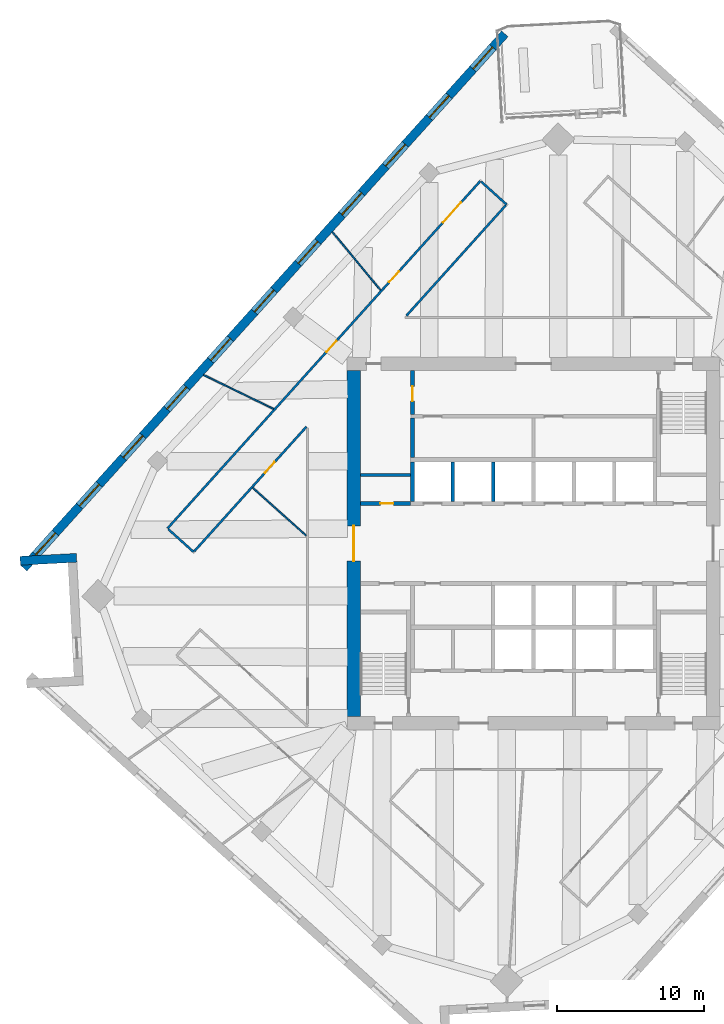
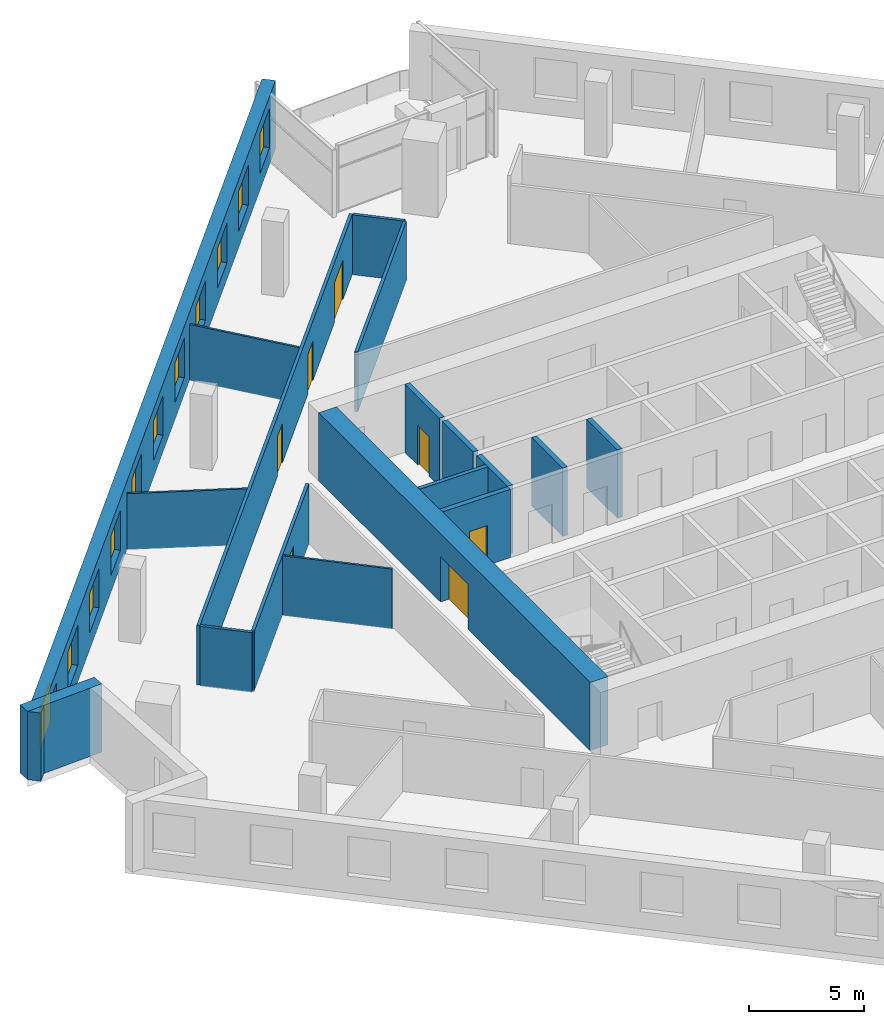
# One storey, part 8 of 12: 18 walls, 11 windows, 7 doors, 18 openings.
"""IFC4 building model written with IfcOpenShell, lengths in metres."""

import ifcopenshell
import ifcopenshell.guid

model = None  # the IFC model being written
_history = None  # IfcOwnerHistory: only IFC2X3 demands one
_inside = {}  # id of a spatial element -> (the spatial element, [elements in it])
_under = {}  # id of a project, library or spatial element -> (it, [spatial elements below it])
_declared = {}  # id of a project -> (the project, [libraries it declares])
_typed = {}  # id of a type object -> (the type object, [elements of that type])
_made_of = {}  # id of a material, layer set ... -> (it, [elements and type objects made of it])


def new_model(schema):
    """Start an empty IFC model of exactly this schema.

    Asked for "IFC4X3", IfcOpenShell would pick the latest addendum, in which some entities
    have other attributes; the version numbers below select the first issue.
    IFC2X3 requires an IfcOwnerHistory on every rooted entity: one is made here for all.
    """
    global model, _history
    if schema == "IFC4X3":
        model = ifcopenshell.file(schema_version=(4, 3, 0, 0))
    else:
        model = ifcopenshell.file(schema=schema)
    _inside.clear()
    _under.clear()
    _declared.clear()
    _typed.clear()
    _made_of.clear()
    _history = None
    if model.schema == "IFC2X3":
        org = make("IfcOrganization", Name="unknown")
        user = make(
            "IfcPersonAndOrganization",
            ThePerson=make("IfcPerson", FamilyName="unknown"),
            TheOrganization=org,
        )
        app = make(
            "IfcApplication",
            ApplicationDeveloper=org,
            Version="unknown",
            ApplicationFullName="unknown",
            ApplicationIdentifier="unknown",
        )
        _history = make(
            "IfcOwnerHistory",
            OwningUser=user,
            OwningApplication=app,
            ChangeAction="ADDED",
            CreationDate=0,
        )
    return model


def make(cls, **values):
    """One entity of the class cls with the attributes given. An attribute that is None is left unset."""
    return model.create_entity(
        cls, **{name: value for name, value in values.items() if value is not None}
    )


def rooted(cls, **values):
    """An entity with a GlobalId (a new one), such as an element, a storey or a relation."""
    return make(cls, GlobalId=ifcopenshell.guid.new(), OwnerHistory=_history, **values)


def si_unit(unit_type, name, prefix=None):
    """IfcSIUnit, for example si_unit("LENGTHUNIT", "METRE", prefix="MILLI")."""
    return make("IfcSIUnit", UnitType=unit_type, Prefix=prefix, Name=name)


def assignment(units):
    """IfcUnitAssignment: the units of a project."""
    return None if units is None else make("IfcUnitAssignment", Units=units)


def point(xyz):
    """IfcCartesianPoint."""
    return None if xyz is None else make("IfcCartesianPoint", Coordinates=xyz)


def direction(xyz):
    """IfcDirection."""
    return None if xyz is None else make("IfcDirection", DirectionRatios=xyz)


def frame(location, z_axis=None, x_axis=None):
    """IfcAxis2Placement3D, a coordinate frame: its origin and axes. An axis left out is left unset."""
    return make(
        "IfcAxis2Placement3D",
        Location=point(location),
        Axis=direction(z_axis),
        RefDirection=direction(x_axis),
    )


def frame_2d(location, x_axis=None):
    """IfcAxis2Placement2D, a coordinate frame in the plane: its origin and x axis."""
    return make(
        "IfcAxis2Placement2D", Location=point(location), RefDirection=direction(x_axis)
    )


def origin():
    """The frame at (0, 0, 0) with its axes left unset."""
    return frame((0.0, 0.0, 0.0))


def place(relative_to, where):
    """IfcLocalPlacement: puts the frame where relative to a parent placement (None: the world)."""
    return make(
        "IfcLocalPlacement", PlacementRelTo=relative_to, RelativePlacement=where
    )


def context(
    kind, dimensions, precision=None, world=None, true_north=None, identifier=None
):
    """IfcGeometricRepresentationContext, for example the 3D "Model" context."""
    return make(
        "IfcGeometricRepresentationContext",
        ContextIdentifier=identifier,
        ContextType=kind,
        CoordinateSpaceDimension=dimensions,
        Precision=precision,
        WorldCoordinateSystem=world,
        TrueNorth=true_north,
    )


def subcontext(parent, identifier, kind, view, scale=None):
    """IfcGeometricRepresentationSubContext, for example "Body" below "Model"."""
    return make(
        "IfcGeometricRepresentationSubContext",
        ContextIdentifier=identifier,
        ContextType=kind,
        ParentContext=parent,
        TargetScale=scale,
        TargetView=view,
    )


def project(units=None, contexts=None):
    """IfcProject with its units and contexts."""
    return rooted(
        "IfcProject",
        Name="project",
        RepresentationContexts=contexts,
        UnitsInContext=assignment(units),
    )


def spatial(cls, under=None, at=None, **own):
    """A site, building, storey or space (cls), placed at a placement, below another one or the project."""
    s = rooted(cls, ObjectPlacement=at, **own)
    if under is not None:
        _under.setdefault(under.id(), (under, []))[1].append(s)
    return s


def profile(cls, at=None, kind="AREA", **sizes):
    """A parametric profile (cls). Its sizes go by their IFC names, for example OverallWidth=200.0."""
    return make(cls, ProfileType=kind, Position=at, **sizes)


def rectangle(**sizes):
    """IfcRectangleProfileDef."""
    return profile("IfcRectangleProfileDef", **sizes)


def extrude(swept, where, along, depth):
    """IfcExtrudedAreaSolid: the profile swept, set in the frame where, extruded along a direction by depth."""
    return make(
        "IfcExtrudedAreaSolid",
        SweptArea=swept,
        Position=where,
        ExtrudedDirection=direction(along),
        Depth=depth,
    )


def shape(context_of_items, identifier, shape_type, items):
    """IfcShapeRepresentation: the items that make up one representation, for example the "Body"."""
    return make(
        "IfcShapeRepresentation",
        ContextOfItems=context_of_items,
        RepresentationIdentifier=identifier,
        RepresentationType=shape_type,
        Items=items,
    )


def material(Name=None, Category=None):
    """IfcMaterial."""
    return make("IfcMaterial", Name=Name, Category=Category)


def layer(
    of_material, thickness, ventilated=None, Name=None, Category=None, Priority=None
):
    """IfcMaterialLayer: one layer of a wall or slab, of a material (None: an air gap)."""
    return make(
        "IfcMaterialLayer",
        Material=of_material,
        LayerThickness=thickness,
        IsVentilated=ventilated,
        Name=Name,
        Category=Category,
        Priority=Priority,
    )


def layer_set(layers, Name=None):
    """IfcMaterialLayerSet."""
    return make("IfcMaterialLayerSet", MaterialLayers=layers, LayerSetName=Name)


def made_of(thing, what):
    """Note that an element or type object is made of a material, layer set ...; save() writes the relation."""
    if what is not None:
        _made_of.setdefault(what.id(), (what, []))[1].append(thing)
    return thing


def type_object(cls, material=None, **own):
    """A type object (cls), such as IfcWallType, which elements share."""
    return made_of(rooted(cls, **own), material)


def element(
    cls,
    number,
    at=None,
    inside=None,
    cuts=None,
    type_object=None,
    material=None,
    context=None,
    identifier="Body",
    shape_type=None,
    held_by="IfcProductDefinitionShape",
    body=None,
    shapes=None,
    **own,
):
    """One element of the class cls, such as IfcWall. Its Tag is "e" and its number.

    at: its placement. inside: the storey or other place that contains it. cuts: it is an
    opening in that element (IfcRelVoidsElement). A single representation is given by context,
    identifier, shape_type and body (its items); several are given by shapes. held_by: the class
    of the entity that holds the representations. save() writes the other relations.
    """
    e = rooted(cls, Tag="e%d" % number, ObjectPlacement=at, **own)
    if body is not None:
        shapes = [shape(context, identifier, shape_type, body)]
    if shapes is not None:
        e.Representation = make(held_by, Representations=shapes)
    if inside is not None:
        _inside.setdefault(inside.id(), (inside, []))[1].append(e)
    if cuts is not None:
        rooted(
            "IfcRelVoidsElement", RelatingBuildingElement=cuts, RelatedOpeningElement=e
        )
    if type_object is not None:
        _typed.setdefault(type_object.id(), (type_object, []))[1].append(e)
    return made_of(e, material)


def fill(opening, filler):
    """IfcRelFillsElement: the door or window that sits in an opening."""
    return rooted(
        "IfcRelFillsElement",
        RelatingOpeningElement=opening,
        RelatedBuildingElement=filler,
    )


def aggregate(whole, parts):
    """IfcRelAggregates: a whole, such as a stair, and the parts it consists of."""
    return rooted("IfcRelAggregates", RelatingObject=whole, RelatedObjects=parts)


def save(model, path):
    """Write the relations noted so far, then the file.

    IfcRelAggregates (storeys below a building ...), IfcRelContainedInSpatialStructure (elements
    in a storey), IfcRelDefinesByType, IfcRelAssociatesMaterial and IfcRelDeclares: one each for
    every whole, place, type object, material and project.
    """
    for whole, parts in _under.values():
        aggregate(whole, parts)
    for where, things in _inside.values():
        rooted(
            "IfcRelContainedInSpatialStructure",
            RelatedElements=things,
            RelatingStructure=where,
        )
    for kind, things in _typed.values():
        rooted("IfcRelDefinesByType", RelatedObjects=things, RelatingType=kind)
    for what, things in _made_of.values():
        rooted("IfcRelAssociatesMaterial", RelatedObjects=things, RelatingMaterial=what)
    for by, libraries in _declared.values():
        rooted("IfcRelDeclares", RelatingContext=by, RelatedDefinitions=libraries)
    model.write(path)


model = new_model("IFC4")

# Units and contexts
model_context = context("Model", 3, precision=1e-05, world=origin(), true_north=direction((0.0, 1.0)))
body_context = subcontext(model_context, "Body", "Model", "MODEL_VIEW")
ifc_project = project(units=[si_unit("LENGTHUNIT", "METRE"), si_unit("AREAUNIT", "SQUARE_METRE"), si_unit("VOLUMEUNIT", "CUBIC_METRE"), si_unit("PLANEANGLEUNIT", "RADIAN"), si_unit("MASSUNIT", "GRAM", prefix="KILO")], contexts=[model_context])

# Site, building, storey
site_placement = place(None, origin())
site = spatial("IfcSite", under=ifc_project, at=site_placement, CompositionType="ELEMENT")
building_placement = place(site_placement, origin())
building = spatial("IfcBuilding", under=site, at=building_placement, Name="Dilmun Exchange Tower", CompositionType="ELEMENT")
storey_placement = place(building_placement, frame((0.0, 0.0, 217.300048828125)))
storey = spatial("IfcBuildingStorey", under=building, at=storey_placement, Name="L51", CompositionType="ELEMENT", Elevation=217.300048828125)

# Wall
ifc_material_1 = material(Name="Concrete C40/50", Category="concrete")
ifc_layer_1 = layer(ifc_material_1, 0.199951171875)
ifc_layer_set_1 = layer_set([ifc_layer_1], Name="Concrete C40/50")
wall_type_1 = type_object("IfcWallType", Name="Core partition wall 200", PredefinedType="PARTITIONING", material=ifc_layer_set_1)
wall_1_placement = place(storey_placement, frame((-11.794921875, 4.675048828125, 0.0), z_axis=(0.0, 0.0, 1.0), x_axis=(1.0, 0.0, 0.0)))
element("IfcWall", 1, at=wall_1_placement, inside=storey, type_object=wall_type_1, Name="L51 core partition wall 12", PredefinedType="PARTITIONING", context=body_context, shape_type="SweptSolid", body=[
    extrude(rectangle(XDim=3.4150390625, YDim=0.199951171875, at=frame_2d((1.70751953125, 0.0))), origin(), (0.0, 0.0, 1.0), 3.619873046875),
])

# Wall, opening, door
ifc_layer_2 = layer(ifc_material_1, 0.25)
ifc_layer_set_2 = layer_set([ifc_layer_2], Name="Concrete C40/50")
wall_type_2 = type_object("IfcWallType", Name="Core partition wall 250", PredefinedType="PARTITIONING", material=ifc_layer_set_2)
wall_2_placement = place(storey_placement, frame((-11.794921875, 2.72509765625, 0.0), z_axis=(0.0, 0.0, 1.0), x_axis=(1.0, 0.0, 0.0)))
wall_2 = element("IfcWall", 2, at=wall_2_placement, inside=storey, type_object=wall_type_2, Name="L51 core partition wall 10", PredefinedType="PARTITIONING", context=body_context, shape_type="SweptSolid", body=[
    extrude(rectangle(XDim=3.4150390625, YDim=0.25, at=frame_2d((1.70751953125, 0.0))), origin(), (0.0, 0.0, 1.0), 3.619873046875),
])
opening_1_placement = place(wall_2_placement, frame((1.344970703125, 0.0, 0.0)))
opening_1 = element("IfcOpeningElement", 3, at=opening_1_placement, cuts=wall_2, Name="Opening CD6", PredefinedType="OPENING", context=body_context, shape_type="SweptSolid", body=[
    extrude(rectangle(XDim=0.89990234375, YDim=2.10009765625, at=frame_2d((0.449951171875, 1.050048828125))), frame((0.0, 0.135009765625, 0.0), z_axis=(0.0, -1.0, 0.0), x_axis=(1.0, 0.0, 0.0)), (0.0, 0.0, 1.0), 0.27001953125),
])
ifc_material_2 = material(Name="Fire-rated steel door set", Category="steel")
door_type_1 = type_object("IfcDoorType", Name="Core room door 900x2100", OperationType="SINGLE_SWING_LEFT", PredefinedType="DOOR", material=ifc_material_2)
door_1_placement = place(opening_1_placement, origin())
door_1 = element("IfcDoor", 4, at=door_1_placement, inside=storey, type_object=door_type_1, Name="L51 door Plumbing riser", OperationType="SINGLE_SWING_RIGHT", OverallHeight=2.10009765625, OverallWidth=0.89990234375, PredefinedType="DOOR", context=body_context, shape_type="SweptSolid", body=[
    extrude(rectangle(XDim=0.89990234375, YDim=2.10009765625, at=frame_2d((0.449951171875, 1.050048828125))), frame((0.0, 0.02490234375, 0.0), z_axis=(0.0, -1.0, 0.0), x_axis=(1.0, 0.0, 0.0)), (0.0, 0.0, 1.0), 0.050048828125),
])
fill(opening_1, door_1)

# Wall
wall_3_placement = place(storey_placement, frame((-8.25, 5.85498046875, 0.0), z_axis=(0.0, 0.0, 1.0), x_axis=(0.0, 1.0, 0.0)))
element("IfcWall", 5, at=wall_3_placement, inside=storey, type_object=wall_type_2, Name="L51 core partition wall 13", PredefinedType="PARTITIONING", context=body_context, shape_type="SweptSolid", body=[
    extrude(rectangle(XDim=2.68994140625, YDim=0.25, at=frame_2d((1.344970703125, 0.0))), origin(), (0.0, 0.0, 1.0), 3.619873046875),
])

# Wall, opening, door
wall_4_placement = place(storey_placement, frame((-8.25, 8.804931640625, 0.0), z_axis=(0.0, 0.0, 1.0), x_axis=(0.0, 1.0, 0.0)))
wall_4 = element("IfcWall", 6, at=wall_4_placement, inside=storey, type_object=wall_type_2, Name="L51 core partition wall 17", PredefinedType="PARTITIONING", context=body_context, shape_type="SweptSolid", body=[
    extrude(rectangle(XDim=2.989990234375, YDim=0.25, at=frame_2d((1.4951171875, 0.0))), origin(), (0.0, 0.0, 1.0), 3.619873046875),
])
opening_2_placement = place(wall_4_placement, frame((0.89501953125, 0.0, 0.0)))
opening_2 = element("IfcOpeningElement", 7, at=opening_2_placement, cuts=wall_4, Name="Opening CD4", PredefinedType="OPENING", context=body_context, shape_type="SweptSolid", body=[
    extrude(rectangle(XDim=1.0, YDim=2.10009765625, at=frame_2d((0.5, 1.050048828125))), frame((0.0, 0.135009765625, 0.0), z_axis=(0.0, -1.0, 0.0), x_axis=(1.0, 0.0, 0.0)), (0.0, 0.0, 1.0), 0.27001953125),
])
door_type_2 = type_object("IfcDoorType", Name="Core room door 1000x2100", OperationType="SINGLE_SWING_LEFT", PredefinedType="DOOR", material=ifc_material_2)
door_2_placement = place(opening_2_placement, origin())
door_2 = element("IfcDoor", 8, at=door_2_placement, inside=storey, type_object=door_type_2, Name="L51 door Building services room", OperationType="SINGLE_SWING_RIGHT", OverallHeight=2.10009765625, OverallWidth=1.0, PredefinedType="DOOR", context=body_context, shape_type="SweptSolid", body=[
    extrude(rectangle(XDim=1.0, YDim=2.10009765625, at=frame_2d((0.5, 1.050048828125))), frame((0.0, 0.02490234375, 0.0), z_axis=(0.0, -1.0, 0.0), x_axis=(1.0, 0.0, 0.0)), (0.0, 0.0, 1.0), 0.050048828125),
])
fill(opening_2, door_2)

ifc_material_3 = material(Name="Concrete C60/75", Category="concrete")
ifc_layer_3 = layer(ifc_material_3, 0.89990234375)
ifc_layer_set_3 = layer_set([ifc_layer_3], Name="Concrete C60/75")
wall_type_3 = type_object("IfcWallType", Name="Core shear wall 900 Concrete C60/75", PredefinedType="SHEAR", material=ifc_layer_set_3)
wall_5_placement = place(storey_placement, frame((-12.25, -11.800048828125, 0.0), z_axis=(0.0, 0.0, 1.0), x_axis=(0.0, 1.0, 0.0)))
wall_5 = element("IfcWall", 9, at=wall_5_placement, inside=storey, type_object=wall_type_3, Name="L51 core shear wall W", PredefinedType="SHEAR", context=body_context, shape_type="SweptSolid", body=[
    extrude(rectangle(XDim=23.60009765625, YDim=0.89990234375, at=frame_2d((11.800048828125, 0.0))), origin(), (0.0, 0.0, 1.0), 3.619873046875),
])
opening_3_placement = place(wall_5_placement, frame((10.60009765625, 0.0, 0.0)))
opening_3 = element("IfcOpeningElement", 10, at=opening_3_placement, cuts=wall_5, Name="Opening CD1", PredefinedType="OPENING", context=body_context, shape_type="SweptSolid", body=[
    extrude(rectangle(XDim=2.39990234375, YDim=2.39990234375, at=frame_2d((1.199951171875, 1.199951171875))), frame((0.0, 0.4599609375, 0.0), z_axis=(0.0, -1.0, 0.0), x_axis=(1.0, 0.0, 0.0)), (0.0, 0.0, 1.0), 0.919921875),
])
door_type_3 = type_object("IfcDoorType", Name="Core lobby door 2400x2400", OperationType="DOUBLE_DOOR_DOUBLE_SWING", PredefinedType="DOOR", material=ifc_material_2)
door_3_placement = place(opening_3_placement, origin())
door_3 = element("IfcDoor", 11, at=door_3_placement, inside=storey, type_object=door_type_3, Name="L51 door Central lift lobby", OperationType="SINGLE_SWING_LEFT", OverallHeight=2.39990234375, OverallWidth=2.39990234375, PredefinedType="DOOR", context=body_context, shape_type="SweptSolid", body=[
    extrude(rectangle(XDim=2.39990234375, YDim=2.39990234375, at=frame_2d((1.199951171875, 1.199951171875))), frame((0.0, 0.02490234375, 0.0), z_axis=(0.0, -1.0, 0.0), x_axis=(1.0, 0.0, 0.0)), (0.0, 0.0, 1.0), 0.050048828125),
])
fill(opening_3, door_3)

# Wall, openings, doors
ifc_material_4 = material(Name="Corridor wall 150")
ifc_layer_4 = layer(ifc_material_4, 0.14990234375)
ifc_layer_set_4 = layer_set([ifc_layer_4], Name="Corridor wall 150")
wall_type_4 = type_object("IfcWallType", Name="Corridor wall 150", PredefinedType="PARTITIONING", material=ifc_layer_set_4)
wall_6_placement = place(storey_placement, frame((-24.951904296875, 1.02392578125, 0.0), z_axis=(0.0, 0.0, 1.0), x_axis=(0.66912723064, 0.743147864974, 0.0)))
wall_6 = element("IfcWall", 12, at=wall_6_placement, inside=storey, type_object=wall_type_4, Name="Corridor wall", PredefinedType="PARTITIONING", context=body_context, shape_type="SweptSolid", body=[
    extrude(rectangle(XDim=31.871337890625, YDim=0.14990234375, at=frame_2d((15.935546875, 0.0))), origin(), (0.0, 0.0, 1.0), 3.169921875),
])
opening_4_placement = place(wall_6_placement, frame((16.20166015625, 0.0, 0.0)))
opening_4 = element("IfcOpeningElement", 13, at=opening_4_placement, cuts=wall_6, Name="Opening TF51-D05", PredefinedType="OPENING", context=body_context, shape_type="SweptSolid", body=[
    extrude(rectangle(XDim=1.0, YDim=2.10009765625, at=frame_2d((0.5, 1.050048828125))), frame((0.0, 0.0849609375, 0.0), z_axis=(0.0, -1.0, 0.0), x_axis=(1.0, 0.0, 0.0)), (0.0, 0.0, 1.0), 0.169921875),
])
opening_5_placement = place(wall_6_placement, frame((28.080322265625, 0.0, 0.0)))
opening_5 = element("IfcOpeningElement", 14, at=opening_5_placement, cuts=wall_6, Name="Opening TF51-D08", PredefinedType="OPENING", context=body_context, shape_type="SweptSolid", body=[
    extrude(rectangle(XDim=1.800048828125, YDim=2.10009765625, at=frame_2d((0.89990234375, 1.050048828125))), frame((0.0, 0.0849609375, 0.0), z_axis=(0.0, -1.0, 0.0), x_axis=(1.0, 0.0, 0.0)), (0.0, 0.0, 1.0), 0.169921875),
])
opening_6_placement = place(wall_6_placement, frame((22.580322265625, 0.0, 0.0)))
opening_6 = element("IfcOpeningElement", 15, at=opening_6_placement, cuts=wall_6, Name="Opening TF51-D09", PredefinedType="OPENING", context=body_context, shape_type="SweptSolid", body=[
    extrude(rectangle(XDim=1.0, YDim=2.10009765625, at=frame_2d((0.5, 1.050048828125))), frame((0.0, 0.0849609375, 0.0), z_axis=(0.0, -1.0, 0.0), x_axis=(1.0, 0.0, 0.0)), (0.0, 0.0, 1.0), 0.169921875),
])
ifc_material_5 = material(Name="Fire door 1000 x 2100")
door_type_4 = type_object("IfcDoorType", Name="Fire door 1000 x 2100", OperationType="NOTDEFINED", PredefinedType="DOOR", material=ifc_material_5)
door_4_placement = place(opening_4_placement, origin())
door_4 = element("IfcDoor", 16, at=door_4_placement, inside=storey, type_object=door_type_4, Name="Door TF51-D05", OperationType="SINGLE_SWING_RIGHT", OverallHeight=2.10009765625, OverallWidth=1.0, PredefinedType="DOOR", context=body_context, shape_type="SweptSolid", body=[
    extrude(rectangle(XDim=1.0, YDim=2.10009765625, at=frame_2d((0.5, 1.050048828125))), frame((0.0, 0.02490234375, 0.0), z_axis=(0.0, -1.0, 0.0), x_axis=(1.0, 0.0, 0.0)), (0.0, 0.0, 1.0), 0.050048828125),
])
fill(opening_4, door_4)
door_5_placement = place(opening_6_placement, origin())
door_5 = element("IfcDoor", 17, at=door_5_placement, inside=storey, type_object=door_type_4, Name="Door TF51-D09", OperationType="SINGLE_SWING_RIGHT", OverallHeight=2.10009765625, OverallWidth=1.0, PredefinedType="DOOR", context=body_context, shape_type="SweptSolid", body=[
    extrude(rectangle(XDim=1.0, YDim=2.10009765625, at=frame_2d((0.5, 1.050048828125))), frame((0.0, 0.02490234375, 0.0), z_axis=(0.0, -1.0, 0.0), x_axis=(1.0, 0.0, 0.0)), (0.0, 0.0, 1.0), 0.050048828125),
])
fill(opening_6, door_5)
ifc_material_6 = material(Name="Fire door pair 1800 x 2100")
door_type_5 = type_object("IfcDoorType", Name="Fire door pair 1800 x 2100", OperationType="NOTDEFINED", PredefinedType="DOOR", material=ifc_material_6)
door_6_placement = place(opening_5_placement, origin())
door_6 = element("IfcDoor", 18, at=door_6_placement, inside=storey, type_object=door_type_5, Name="Door TF51-D08", OperationType="DOUBLE_DOOR_SINGLE_SWING", OverallHeight=2.10009765625, OverallWidth=1.800048828125, PredefinedType="DOOR", context=body_context, shape_type="SweptSolid", body=[
    extrude(rectangle(XDim=1.800048828125, YDim=2.10009765625, at=frame_2d((0.89990234375, 1.050048828125))), frame((0.0, 0.02490234375, 0.0), z_axis=(0.0, -1.0, 0.0), x_axis=(1.0, 0.0, 0.0)), (0.0, 0.0, 1.0), 0.050048828125),
])
fill(opening_5, door_6)

# Wall
wall_7_placement = place(storey_placement, frame((-24.896240234375, 0.973876953125, 0.0), z_axis=(0.0, 0.0, 1.0), x_axis=(0.743006872073, -0.669283787381, 0.0)))
element("IfcWall", 19, at=wall_7_placement, inside=storey, type_object=wall_type_4, Name="Corridor wall", PredefinedType="PARTITIONING", context=body_context, shape_type="SweptSolid", body=[
    extrude(rectangle(XDim=2.32470703125, YDim=0.14990234375, at=frame_2d((1.162353515625, 0.0))), origin(), (0.0, 0.0, 1.0), 3.169921875),
])

# Wall, opening, door
wall_8_placement = place(storey_placement, frame((-23.118896484375, -0.5263671875, 0.0), z_axis=(0.0, 0.0, 1.0), x_axis=(0.669146693107, 0.743130340589, 0.0)))
wall_8 = element("IfcWall", 20, at=wall_8_placement, inside=storey, type_object=wall_type_4, Name="Corridor wall", PredefinedType="PARTITIONING", context=body_context, shape_type="SweptSolid", body=[
    extrude(rectangle(XDim=11.41455078125, YDim=0.14990234375, at=frame_2d((5.707275390625, 0.0))), origin(), (0.0, 0.0, 1.0), 3.169921875),
])
opening_7_placement = place(wall_8_placement, frame((7.178466796875, 0.0, 0.0)))
opening_7 = element("IfcOpeningElement", 21, at=opening_7_placement, cuts=wall_8, Name="Opening TF51-D04", PredefinedType="OPENING", context=body_context, shape_type="SweptSolid", body=[
    extrude(rectangle(XDim=1.0, YDim=2.10009765625, at=frame_2d((0.5, 1.050048828125))), frame((0.0, 0.0849609375, 0.0), z_axis=(0.0, -1.0, 0.0), x_axis=(1.0, 0.0, 0.0)), (0.0, 0.0, 1.0), 0.169921875),
])
door_7_placement = place(opening_7_placement, frame((1.0, 0.0, 0.0), z_axis=(0.0, 0.0, 1.0), x_axis=(-1.0, 0.0, 0.0)))
door_7 = element("IfcDoor", 22, at=door_7_placement, inside=storey, type_object=door_type_4, Name="Door TF51-D04", OperationType="SINGLE_SWING_RIGHT", OverallHeight=2.10009765625, OverallWidth=1.0, PredefinedType="DOOR", context=body_context, shape_type="SweptSolid", body=[
    extrude(rectangle(XDim=1.0, YDim=2.10009765625, at=frame_2d((0.5, 1.050048828125))), frame((0.0, 0.02490234375, 0.0), z_axis=(0.0, -1.0, 0.0), x_axis=(1.0, 0.0, 0.0)), (0.0, 0.0, 1.0), 0.050048828125),
])
fill(opening_7, door_7)

# Walls
wall_9_placement = place(storey_placement, frame((-8.665283203125, 15.525146484375, 0.0), z_axis=(0.0, 0.0, 1.0), x_axis=(0.669084664521, 0.743186189123, 0.0)))
element("IfcWall", 23, at=wall_9_placement, inside=storey, type_object=wall_type_4, Name="Corridor wall", PredefinedType="PARTITIONING", context=body_context, shape_type="SweptSolid", body=[
    extrude(rectangle(XDim=10.121337890625, YDim=0.14990234375, at=frame_2d((5.060546875, 0.0))), origin(), (0.0, 0.0, 1.0), 3.169921875),
])
wall_10_placement = place(storey_placement, frame((-3.5703125, 24.65869140625, 0.0), z_axis=(0.0, 0.0, 1.0), x_axis=(0.743059097408, -0.669225804761, 0.0)))
element("IfcWall", 24, at=wall_10_placement, inside=storey, type_object=wall_type_4, Name="Corridor wall", PredefinedType="PARTITIONING", context=body_context, shape_type="SweptSolid", body=[
    extrude(rectangle(XDim=2.324462890625, YDim=0.14990234375, at=frame_2d((1.162109375, 0.0))), origin(), (0.0, 0.0, 1.0), 3.169921875),
])
ifc_layer_5 = layer(ifc_material_1, 0.25)
ifc_layer_set_5 = layer_set([ifc_layer_5], Name="Concrete C40/50")
wall_type_5 = type_object("IfcWallType", Name="Lift shaft wall 250", PredefinedType="SOLIDWALL", material=ifc_layer_set_5)
for number, where, z_axis, x_axis, name in (
    (25, (-8.25, 2.85009765625, 0.0), (0.0, 0.0, 1.0), (0.0, 1.0, 0.0), "L51 lift shaft divider N10"),
    (26, (-5.5, 2.85009765625, 0.0), (0.0, 0.0, 1.0), (0.0, 1.0, 0.0), "L51 lift shaft divider N11"),
    (27, (-2.75, 2.85009765625, 0.0), (0.0, 0.0, 1.0), (0.0, 1.0, 0.0), "L51 lift shaft divider N12"),
):
    element("IfcWall", number, at=place(storey_placement, frame(where, z_axis=z_axis, x_axis=x_axis)), inside=storey, type_object=wall_type_5, Name=name, PredefinedType="SOLIDWALL", context=body_context, shape_type="SweptSolid", body=[
        extrude(rectangle(XDim=2.699951171875, YDim=0.25, at=frame_2d((1.35009765625, 0.0))), origin(), (0.0, 0.0, 1.0), 3.619873046875),
    ])
ifc_material_7 = material(Name="Partition 100")
ifc_layer_6 = layer(ifc_material_7, 0.10009765625)
ifc_layer_set_6 = layer_set([ifc_layer_6], Name="Partition 100")
wall_type_6 = type_object("IfcWallType", Name="Partition 100", PredefinedType="PARTITIONING", material=ifc_layer_set_6)
wall_11_placement = place(storey_placement, frame((-22.488525390625, 11.486083984375, 0.0), z_axis=(0.0, 0.0, 1.0), x_axis=(0.899358272064, -0.437212418019, 0.0)))
element("IfcWall", 28, at=wall_11_placement, inside=storey, type_object=wall_type_6, Name="Partition", PredefinedType="PARTITIONING", context=body_context, shape_type="SweptSolid", body=[
    extrude(rectangle(XDim=5.28759765625, YDim=0.10009765625, at=frame_2d((2.643798828125, 0.0))), origin(), (0.0, 0.0, 1.0), 2.969970703125),
])
wall_12_placement = place(storey_placement, frame((-19.12939453125, 3.791748046875, 0.0), z_axis=(0.0, 0.0, 1.0), x_axis=(0.74316706076, -0.66910591075, 0.0)))
element("IfcWall", 29, at=wall_12_placement, inside=storey, type_object=wall_type_6, Name="Partition", PredefinedType="PARTITIONING", context=body_context, shape_type="SweptSolid", body=[
    extrude(rectangle(XDim=4.8720703125, YDim=0.10009765625, at=frame_2d((2.43603515625, 0.0))), origin(), (0.0, 0.0, 1.0), 3.169921875),
])
wall_13_placement = place(storey_placement, frame((-13.71728515625, 21.2275390625, 0.0), z_axis=(0.0, 0.0, 1.0), x_axis=(0.639202955897, -0.769038088246, 0.0)))
element("IfcWall", 30, at=wall_13_placement, inside=storey, type_object=wall_type_6, Name="Partition", PredefinedType="PARTITIONING", context=body_context, shape_type="SweptSolid", body=[
    extrude(rectangle(XDim=5.140869140625, YDim=0.10009765625, at=frame_2d((2.5703125, 0.0))), origin(), (0.0, 0.0, 1.0), 2.969970703125),
])

# Wall, openings, windows
ifc_material_8 = material(Name="Precast concrete C50/60", Category="concrete")
ifc_layer_7 = layer(ifc_material_8, 0.60009765625)
ifc_layer_set_7 = layer_set([ifc_layer_7], Name="Precast concrete C50/60")
wall_type_7 = type_object("IfcWallType", Name="Precast stone-clad wall 600", PredefinedType="STANDARD", material=ifc_layer_set_7)
wall_14_placement = place(storey_placement, frame((-1.9619140625, 34.734619140625, 0.0), z_axis=(0.0, 0.0, 1.0), x_axis=(-0.669133181838, -0.743142506497, 0.0)))
wall_14 = element("IfcWall", 31, at=wall_14_placement, inside=storey, type_object=wall_type_7, Name="Facade wall L51-03", PredefinedType="STANDARD", context=body_context, shape_type="SweptSolid", body=[
    extrude(rectangle(XDim=49.0, YDim=0.60009765625, at=frame_2d((24.5, 0.0))), origin(), (0.0, 0.0, 1.0), 3.619873046875),
])
opening_8_placement = place(wall_14_placement, frame((1.227294921875, 0.0, 0.89990234375)))
opening_8 = element("IfcOpeningElement", 32, at=opening_8_placement, cuts=wall_14, Name="Opening W200-210", PredefinedType="OPENING", context=body_context, shape_type="SweptSolid", body=[
    extrude(rectangle(XDim=2.0, YDim=2.10009765625, at=frame_2d((1.0, 1.050048828125))), frame((0.0, 0.31005859375, 0.0), z_axis=(0.0, -1.0, 0.0), x_axis=(1.0, 0.0, 0.0)), (0.0, 0.0, 1.0), 0.6201171875),
])
opening_9_placement = place(wall_14_placement, frame((5.681884765625, 0.0, 0.89990234375)))
opening_9 = element("IfcOpeningElement", 33, at=opening_9_placement, cuts=wall_14, Name="Opening W200-210", PredefinedType="OPENING", context=body_context, shape_type="SweptSolid", body=[
    extrude(rectangle(XDim=2.0, YDim=2.10009765625, at=frame_2d((1.0, 1.050048828125))), frame((0.0, 0.31005859375, 0.0), z_axis=(0.0, -1.0, 0.0), x_axis=(1.0, 0.0, 0.0)), (0.0, 0.0, 1.0), 0.6201171875),
])
opening_10_placement = place(wall_14_placement, frame((10.136474609375, 0.0, 0.89990234375)))
opening_10 = element("IfcOpeningElement", 34, at=opening_10_placement, cuts=wall_14, Name="Opening W200-210", PredefinedType="OPENING", context=body_context, shape_type="SweptSolid", body=[
    extrude(rectangle(XDim=2.0, YDim=2.10009765625, at=frame_2d((1.0, 1.050048828125))), frame((0.0, 0.31005859375, 0.0), z_axis=(0.0, -1.0, 0.0), x_axis=(1.0, 0.0, 0.0)), (0.0, 0.0, 1.0), 0.6201171875),
])
opening_11_placement = place(wall_14_placement, frame((14.5908203125, 0.0, 0.89990234375)))
opening_11 = element("IfcOpeningElement", 35, at=opening_11_placement, cuts=wall_14, Name="Opening W200-210", PredefinedType="OPENING", context=body_context, shape_type="SweptSolid", body=[
    extrude(rectangle(XDim=2.0, YDim=2.10009765625, at=frame_2d((1.0, 1.050048828125))), frame((0.0, 0.31005859375, 0.0), z_axis=(0.0, -1.0, 0.0), x_axis=(1.0, 0.0, 0.0)), (0.0, 0.0, 1.0), 0.6201171875),
])
opening_12_placement = place(wall_14_placement, frame((19.04541015625, 0.0, 0.89990234375)))
opening_12 = element("IfcOpeningElement", 36, at=opening_12_placement, cuts=wall_14, Name="Opening W200-210", PredefinedType="OPENING", context=body_context, shape_type="SweptSolid", body=[
    extrude(rectangle(XDim=2.0, YDim=2.10009765625, at=frame_2d((1.0, 1.050048828125))), frame((0.0, 0.31005859375, 0.0), z_axis=(0.0, -1.0, 0.0), x_axis=(1.0, 0.0, 0.0)), (0.0, 0.0, 1.0), 0.6201171875),
])
opening_13_placement = place(wall_14_placement, frame((23.5, 0.0, 0.89990234375)))
opening_13 = element("IfcOpeningElement", 37, at=opening_13_placement, cuts=wall_14, Name="Opening W200-210", PredefinedType="OPENING", context=body_context, shape_type="SweptSolid", body=[
    extrude(rectangle(XDim=2.0, YDim=2.10009765625, at=frame_2d((1.0, 1.050048828125))), frame((0.0, 0.31005859375, 0.0), z_axis=(0.0, -1.0, 0.0), x_axis=(1.0, 0.0, 0.0)), (0.0, 0.0, 1.0), 0.6201171875),
])
opening_14_placement = place(wall_14_placement, frame((27.95458984375, 0.0, 0.89990234375)))
opening_14 = element("IfcOpeningElement", 38, at=opening_14_placement, cuts=wall_14, Name="Opening W200-210", PredefinedType="OPENING", context=body_context, shape_type="SweptSolid", body=[
    extrude(rectangle(XDim=2.0, YDim=2.10009765625, at=frame_2d((1.0, 1.050048828125))), frame((0.0, 0.31005859375, 0.0), z_axis=(0.0, -1.0, 0.0), x_axis=(1.0, 0.0, 0.0)), (0.0, 0.0, 1.0), 0.6201171875),
])
opening_15_placement = place(wall_14_placement, frame((32.4091796875, 0.0, 0.89990234375)))
opening_15 = element("IfcOpeningElement", 39, at=opening_15_placement, cuts=wall_14, Name="Opening W200-210", PredefinedType="OPENING", context=body_context, shape_type="SweptSolid", body=[
    extrude(rectangle(XDim=2.0, YDim=2.10009765625, at=frame_2d((1.0, 1.050048828125))), frame((0.0, 0.31005859375, 0.0), z_axis=(0.0, -1.0, 0.0), x_axis=(1.0, 0.0, 0.0)), (0.0, 0.0, 1.0), 0.6201171875),
])
opening_16_placement = place(wall_14_placement, frame((36.863525390625, 0.0, 0.89990234375)))
opening_16 = element("IfcOpeningElement", 40, at=opening_16_placement, cuts=wall_14, Name="Opening W200-210", PredefinedType="OPENING", context=body_context, shape_type="SweptSolid", body=[
    extrude(rectangle(XDim=2.0, YDim=2.10009765625, at=frame_2d((1.0, 1.050048828125))), frame((0.0, 0.31005859375, 0.0), z_axis=(0.0, -1.0, 0.0), x_axis=(1.0, 0.0, 0.0)), (0.0, 0.0, 1.0), 0.6201171875),
])
opening_17_placement = place(wall_14_placement, frame((41.318115234375, 0.0, 0.89990234375)))
opening_17 = element("IfcOpeningElement", 41, at=opening_17_placement, cuts=wall_14, Name="Opening W200-210", PredefinedType="OPENING", context=body_context, shape_type="SweptSolid", body=[
    extrude(rectangle(XDim=2.0, YDim=2.10009765625, at=frame_2d((1.0, 1.050048828125))), frame((0.0, 0.31005859375, 0.0), z_axis=(0.0, -1.0, 0.0), x_axis=(1.0, 0.0, 0.0)), (0.0, 0.0, 1.0), 0.6201171875),
])
opening_18_placement = place(wall_14_placement, frame((45.772705078125, 0.0, 0.89990234375)))
opening_18 = element("IfcOpeningElement", 42, at=opening_18_placement, cuts=wall_14, Name="Opening W200-210", PredefinedType="OPENING", context=body_context, shape_type="SweptSolid", body=[
    extrude(rectangle(XDim=2.0, YDim=2.10009765625, at=frame_2d((1.0, 1.050048828125))), frame((0.0, 0.31005859375, 0.0), z_axis=(0.0, -1.0, 0.0), x_axis=(1.0, 0.0, 0.0)), (0.0, 0.0, 1.0), 0.6201171875),
])
ifc_material_9 = material(Name="Clear low-emissivity glass in aluminium frame", Category="aluminium")
window_type = type_object("IfcWindowType", Name="Punched window 2000 x 2100", PartitioningType="DOUBLE_PANEL_VERTICAL", PredefinedType="WINDOW", material=ifc_material_9)
window_1_placement = place(opening_8_placement, origin())
window_1 = element("IfcWindow", 43, at=window_1_placement, inside=storey, type_object=window_type, Name="Window 4.1", OverallHeight=2.10009765625, OverallWidth=2.0, PartitioningType="SINGLE_PANEL", PredefinedType="WINDOW", context=body_context, shape_type="SweptSolid", body=[
    extrude(rectangle(XDim=2.0, YDim=2.10009765625, at=frame_2d((1.0, 1.050048828125))), frame((0.0, 0.030029296875, 0.0), z_axis=(0.0, -1.0, 0.0), x_axis=(1.0, 0.0, 0.0)), (0.0, 0.0, 1.0), 0.06005859375),
])
fill(opening_8, window_1)
window_2_placement = place(opening_9_placement, origin())
window_2 = element("IfcWindow", 44, at=window_2_placement, inside=storey, type_object=window_type, Name="Window 4.2", OverallHeight=2.10009765625, OverallWidth=2.0, PartitioningType="SINGLE_PANEL", PredefinedType="WINDOW", context=body_context, shape_type="SweptSolid", body=[
    extrude(rectangle(XDim=2.0, YDim=2.10009765625, at=frame_2d((1.0, 1.050048828125))), frame((0.0, 0.030029296875, 0.0), z_axis=(0.0, -1.0, 0.0), x_axis=(1.0, 0.0, 0.0)), (0.0, 0.0, 1.0), 0.06005859375),
])
fill(opening_9, window_2)
window_3_placement = place(opening_10_placement, origin())
window_3 = element("IfcWindow", 45, at=window_3_placement, inside=storey, type_object=window_type, Name="Window 4.3", OverallHeight=2.10009765625, OverallWidth=2.0, PartitioningType="SINGLE_PANEL", PredefinedType="WINDOW", context=body_context, shape_type="SweptSolid", body=[
    extrude(rectangle(XDim=2.0, YDim=2.10009765625, at=frame_2d((1.0, 1.050048828125))), frame((0.0, 0.030029296875, 0.0), z_axis=(0.0, -1.0, 0.0), x_axis=(1.0, 0.0, 0.0)), (0.0, 0.0, 1.0), 0.06005859375),
])
fill(opening_10, window_3)
window_4_placement = place(opening_11_placement, origin())
window_4 = element("IfcWindow", 46, at=window_4_placement, inside=storey, type_object=window_type, Name="Window 4.4", OverallHeight=2.10009765625, OverallWidth=2.0, PartitioningType="SINGLE_PANEL", PredefinedType="WINDOW", context=body_context, shape_type="SweptSolid", body=[
    extrude(rectangle(XDim=2.0, YDim=2.10009765625, at=frame_2d((1.0, 1.050048828125))), frame((0.0, 0.030029296875, 0.0), z_axis=(0.0, -1.0, 0.0), x_axis=(1.0, 0.0, 0.0)), (0.0, 0.0, 1.0), 0.06005859375),
])
fill(opening_11, window_4)
window_5_placement = place(opening_12_placement, origin())
window_5 = element("IfcWindow", 47, at=window_5_placement, inside=storey, type_object=window_type, Name="Window 4.5", OverallHeight=2.10009765625, OverallWidth=2.0, PartitioningType="SINGLE_PANEL", PredefinedType="WINDOW", context=body_context, shape_type="SweptSolid", body=[
    extrude(rectangle(XDim=2.0, YDim=2.10009765625, at=frame_2d((1.0, 1.050048828125))), frame((0.0, 0.030029296875, 0.0), z_axis=(0.0, -1.0, 0.0), x_axis=(1.0, 0.0, 0.0)), (0.0, 0.0, 1.0), 0.06005859375),
])
fill(opening_12, window_5)
window_6_placement = place(opening_13_placement, origin())
window_6 = element("IfcWindow", 48, at=window_6_placement, inside=storey, type_object=window_type, Name="Window 4.6", OverallHeight=2.10009765625, OverallWidth=2.0, PartitioningType="SINGLE_PANEL", PredefinedType="WINDOW", context=body_context, shape_type="SweptSolid", body=[
    extrude(rectangle(XDim=2.0, YDim=2.10009765625, at=frame_2d((1.0, 1.050048828125))), frame((0.0, 0.030029296875, 0.0), z_axis=(0.0, -1.0, 0.0), x_axis=(1.0, 0.0, 0.0)), (0.0, 0.0, 1.0), 0.06005859375),
])
fill(opening_13, window_6)
window_7_placement = place(opening_14_placement, origin())
window_7 = element("IfcWindow", 49, at=window_7_placement, inside=storey, type_object=window_type, Name="Window 4.7", OverallHeight=2.10009765625, OverallWidth=2.0, PartitioningType="SINGLE_PANEL", PredefinedType="WINDOW", context=body_context, shape_type="SweptSolid", body=[
    extrude(rectangle(XDim=2.0, YDim=2.10009765625, at=frame_2d((1.0, 1.050048828125))), frame((0.0, 0.030029296875, 0.0), z_axis=(0.0, -1.0, 0.0), x_axis=(1.0, 0.0, 0.0)), (0.0, 0.0, 1.0), 0.06005859375),
])
fill(opening_14, window_7)
window_8_placement = place(opening_15_placement, origin())
window_8 = element("IfcWindow", 50, at=window_8_placement, inside=storey, type_object=window_type, Name="Window 4.8", OverallHeight=2.10009765625, OverallWidth=2.0, PartitioningType="SINGLE_PANEL", PredefinedType="WINDOW", context=body_context, shape_type="SweptSolid", body=[
    extrude(rectangle(XDim=2.0, YDim=2.10009765625, at=frame_2d((1.0, 1.050048828125))), frame((0.0, 0.030029296875, 0.0), z_axis=(0.0, -1.0, 0.0), x_axis=(1.0, 0.0, 0.0)), (0.0, 0.0, 1.0), 0.06005859375),
])
fill(opening_15, window_8)
window_9_placement = place(opening_16_placement, origin())
window_9 = element("IfcWindow", 51, at=window_9_placement, inside=storey, type_object=window_type, Name="Window 4.9", OverallHeight=2.10009765625, OverallWidth=2.0, PartitioningType="SINGLE_PANEL", PredefinedType="WINDOW", context=body_context, shape_type="SweptSolid", body=[
    extrude(rectangle(XDim=2.0, YDim=2.10009765625, at=frame_2d((1.0, 1.050048828125))), frame((0.0, 0.030029296875, 0.0), z_axis=(0.0, -1.0, 0.0), x_axis=(1.0, 0.0, 0.0)), (0.0, 0.0, 1.0), 0.06005859375),
])
fill(opening_16, window_9)
window_10_placement = place(opening_17_placement, origin())
window_10 = element("IfcWindow", 52, at=window_10_placement, inside=storey, type_object=window_type, Name="Window 4.10", OverallHeight=2.10009765625, OverallWidth=2.0, PartitioningType="SINGLE_PANEL", PredefinedType="WINDOW", context=body_context, shape_type="SweptSolid", body=[
    extrude(rectangle(XDim=2.0, YDim=2.10009765625, at=frame_2d((1.0, 1.050048828125))), frame((0.0, 0.030029296875, 0.0), z_axis=(0.0, -1.0, 0.0), x_axis=(1.0, 0.0, 0.0)), (0.0, 0.0, 1.0), 0.06005859375),
])
fill(opening_17, window_10)
window_11_placement = place(opening_18_placement, origin())
window_11 = element("IfcWindow", 53, at=window_11_placement, inside=storey, type_object=window_type, Name="Window 4.11", OverallHeight=2.10009765625, OverallWidth=2.0, PartitioningType="SINGLE_PANEL", PredefinedType="WINDOW", context=body_context, shape_type="SweptSolid", body=[
    extrude(rectangle(XDim=2.0, YDim=2.10009765625, at=frame_2d((1.0, 1.050048828125))), frame((0.0, 0.030029296875, 0.0), z_axis=(0.0, -1.0, 0.0), x_axis=(1.0, 0.0, 0.0)), (0.0, 0.0, 1.0), 0.06005859375),
])
fill(opening_18, window_11)

# Wall
wall_15_placement = place(storey_placement, frame((-34.988037109375, -1.17919921875, 0.0), z_axis=(0.0, 0.0, 1.0), x_axis=(0.998628154457, 0.05236228724, 0.0)))
element("IfcWall", 54, at=wall_15_placement, inside=storey, type_object=wall_type_7, Name="Facade wall L51-04", PredefinedType="STANDARD", context=body_context, shape_type="SweptSolid", body=[
    extrude(rectangle(XDim=3.8466796875, YDim=0.60009765625, at=frame_2d((1.92333984375, 0.0))), origin(), (0.0, 0.0, 1.0), 3.619873046875),
])

save(model, "model.ifc")
